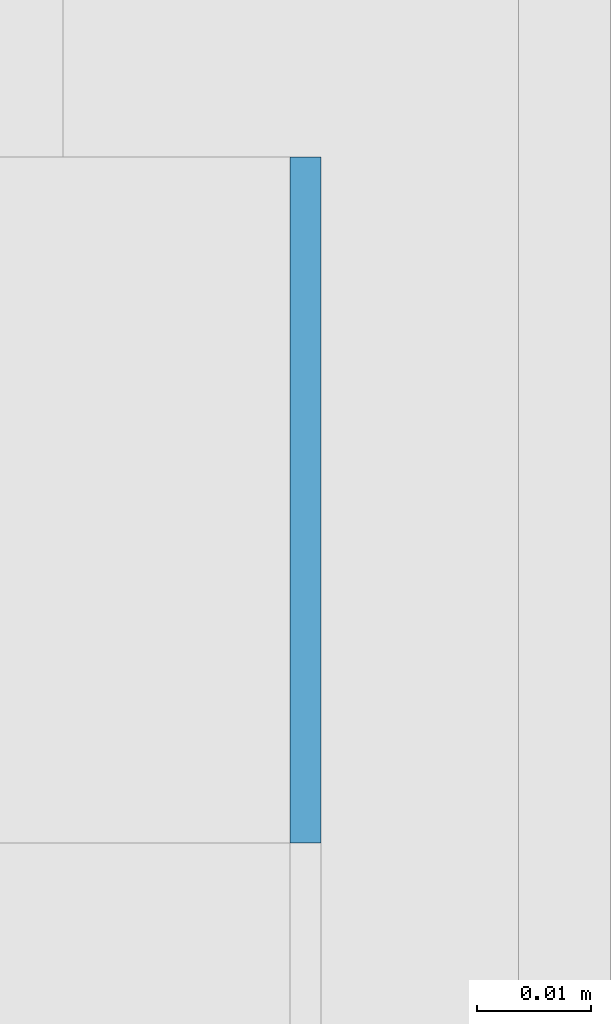
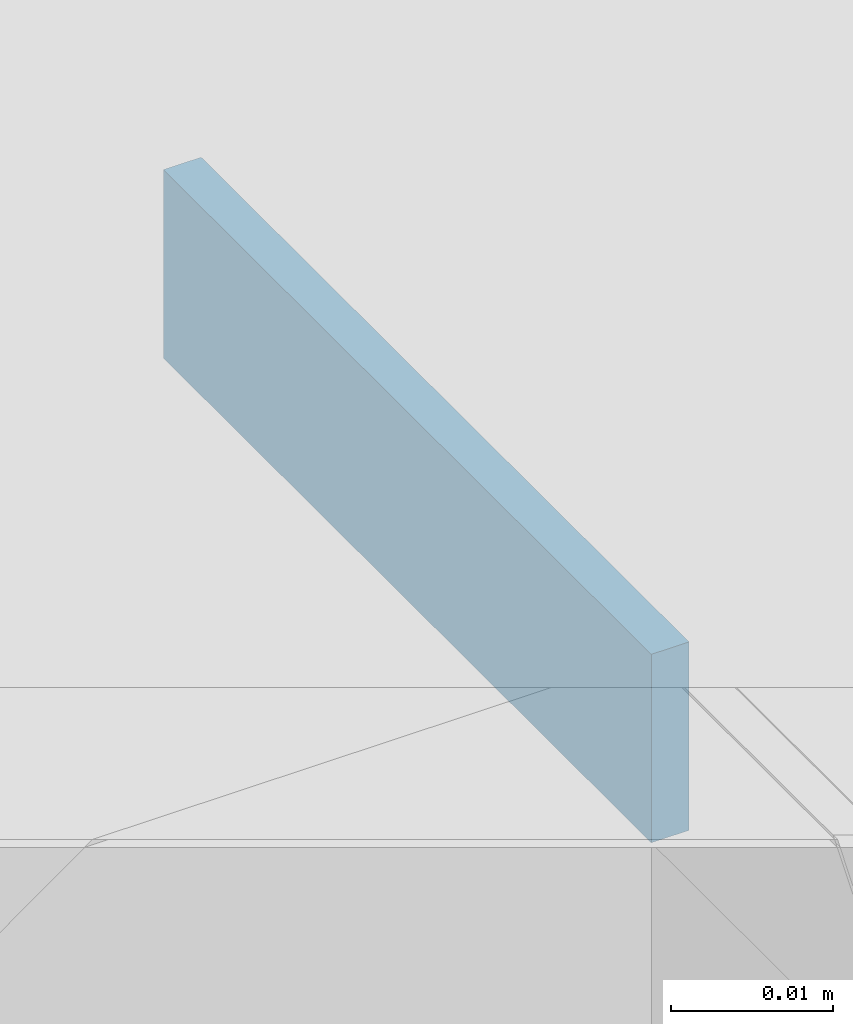
# One storey, part 365 of 646: 1 discrete accessory.
"""IFC4 building model written with IfcOpenShell, lengths in metres."""

import ifcopenshell
import ifcopenshell.guid

model = None  # the IFC model being written
_history = None  # IfcOwnerHistory: only IFC2X3 demands one
_inside = {}  # id of a spatial element -> (the spatial element, [elements in it])
_under = {}  # id of a project, library or spatial element -> (it, [spatial elements below it])
_declared = {}  # id of a project -> (the project, [libraries it declares])
_typed = {}  # id of a type object -> (the type object, [elements of that type])
_made_of = {}  # id of a material, layer set ... -> (it, [elements and type objects made of it])


def new_model(schema):
    """Start an empty IFC model of exactly this schema.

    Asked for "IFC4X3", IfcOpenShell would pick the latest addendum, in which some entities
    have other attributes; the version numbers below select the first issue.
    IFC2X3 requires an IfcOwnerHistory on every rooted entity: one is made here for all.
    """
    global model, _history
    if schema == "IFC4X3":
        model = ifcopenshell.file(schema_version=(4, 3, 0, 0))
    else:
        model = ifcopenshell.file(schema=schema)
    _inside.clear()
    _under.clear()
    _declared.clear()
    _typed.clear()
    _made_of.clear()
    _history = None
    if model.schema == "IFC2X3":
        org = make("IfcOrganization", Name="unknown")
        user = make(
            "IfcPersonAndOrganization",
            ThePerson=make("IfcPerson", FamilyName="unknown"),
            TheOrganization=org,
        )
        app = make(
            "IfcApplication",
            ApplicationDeveloper=org,
            Version="unknown",
            ApplicationFullName="unknown",
            ApplicationIdentifier="unknown",
        )
        _history = make(
            "IfcOwnerHistory",
            OwningUser=user,
            OwningApplication=app,
            ChangeAction="ADDED",
            CreationDate=0,
        )
    return model


def make(cls, **values):
    """One entity of the class cls with the attributes given. An attribute that is None is left unset."""
    return model.create_entity(
        cls, **{name: value for name, value in values.items() if value is not None}
    )


def rooted(cls, **values):
    """An entity with a GlobalId (a new one), such as an element, a storey or a relation."""
    return make(cls, GlobalId=ifcopenshell.guid.new(), OwnerHistory=_history, **values)


def si_unit(unit_type, name, prefix=None):
    """IfcSIUnit, for example si_unit("LENGTHUNIT", "METRE", prefix="MILLI")."""
    return make("IfcSIUnit", UnitType=unit_type, Prefix=prefix, Name=name)


def assignment(units):
    """IfcUnitAssignment: the units of a project."""
    return None if units is None else make("IfcUnitAssignment", Units=units)


def point(xyz):
    """IfcCartesianPoint."""
    return None if xyz is None else make("IfcCartesianPoint", Coordinates=xyz)


def direction(xyz):
    """IfcDirection."""
    return None if xyz is None else make("IfcDirection", DirectionRatios=xyz)


def frame(location, z_axis=None, x_axis=None):
    """IfcAxis2Placement3D, a coordinate frame: its origin and axes. An axis left out is left unset."""
    return make(
        "IfcAxis2Placement3D",
        Location=point(location),
        Axis=direction(z_axis),
        RefDirection=direction(x_axis),
    )


def frame_2d(location, x_axis=None):
    """IfcAxis2Placement2D, a coordinate frame in the plane: its origin and x axis."""
    return make(
        "IfcAxis2Placement2D", Location=point(location), RefDirection=direction(x_axis)
    )


def origin():
    """The frame at (0, 0, 0) with its axes left unset."""
    return frame((0.0, 0.0, 0.0))


def origin_2d():
    """The frame at (0, 0) in the plane with its x axis left unset."""
    return frame_2d((0.0, 0.0))


def place(relative_to, where):
    """IfcLocalPlacement: puts the frame where relative to a parent placement (None: the world)."""
    return make(
        "IfcLocalPlacement", PlacementRelTo=relative_to, RelativePlacement=where
    )


def context(
    kind, dimensions, precision=None, world=None, true_north=None, identifier=None
):
    """IfcGeometricRepresentationContext, for example the 3D "Model" context."""
    return make(
        "IfcGeometricRepresentationContext",
        ContextIdentifier=identifier,
        ContextType=kind,
        CoordinateSpaceDimension=dimensions,
        Precision=precision,
        WorldCoordinateSystem=world,
        TrueNorth=true_north,
    )


def subcontext(parent, identifier, kind, view, scale=None):
    """IfcGeometricRepresentationSubContext, for example "Body" below "Model"."""
    return make(
        "IfcGeometricRepresentationSubContext",
        ContextIdentifier=identifier,
        ContextType=kind,
        ParentContext=parent,
        TargetScale=scale,
        TargetView=view,
    )


def project(units=None, contexts=None):
    """IfcProject with its units and contexts."""
    return rooted(
        "IfcProject",
        Name="project",
        RepresentationContexts=contexts,
        UnitsInContext=assignment(units),
    )


def spatial(cls, under=None, at=None, **own):
    """A site, building, storey or space (cls), placed at a placement, below another one or the project."""
    s = rooted(cls, ObjectPlacement=at, **own)
    if under is not None:
        _under.setdefault(under.id(), (under, []))[1].append(s)
    return s


def profile(cls, at=None, kind="AREA", **sizes):
    """A parametric profile (cls). Its sizes go by their IFC names, for example OverallWidth=200.0."""
    return make(cls, ProfileType=kind, Position=at, **sizes)


def rectangle(**sizes):
    """IfcRectangleProfileDef."""
    return profile("IfcRectangleProfileDef", **sizes)


def extrude(swept, where, along, depth):
    """IfcExtrudedAreaSolid: the profile swept, set in the frame where, extruded along a direction by depth."""
    return make(
        "IfcExtrudedAreaSolid",
        SweptArea=swept,
        Position=where,
        ExtrudedDirection=direction(along),
        Depth=depth,
    )


def shape(context_of_items, identifier, shape_type, items):
    """IfcShapeRepresentation: the items that make up one representation, for example the "Body"."""
    return make(
        "IfcShapeRepresentation",
        ContextOfItems=context_of_items,
        RepresentationIdentifier=identifier,
        RepresentationType=shape_type,
        Items=items,
    )


def material(Name=None, Category=None):
    """IfcMaterial."""
    return make("IfcMaterial", Name=Name, Category=Category)


def made_of(thing, what):
    """Note that an element or type object is made of a material, layer set ...; save() writes the relation."""
    if what is not None:
        _made_of.setdefault(what.id(), (what, []))[1].append(thing)
    return thing


def type_object(cls, material=None, **own):
    """A type object (cls), such as IfcWallType, which elements share."""
    return made_of(rooted(cls, **own), material)


def element(
    cls,
    number,
    at=None,
    inside=None,
    cuts=None,
    type_object=None,
    material=None,
    context=None,
    identifier="Body",
    shape_type=None,
    held_by="IfcProductDefinitionShape",
    body=None,
    shapes=None,
    **own,
):
    """One element of the class cls, such as IfcWall. Its Tag is "e" and its number.

    at: its placement. inside: the storey or other place that contains it. cuts: it is an
    opening in that element (IfcRelVoidsElement). A single representation is given by context,
    identifier, shape_type and body (its items); several are given by shapes. held_by: the class
    of the entity that holds the representations. save() writes the other relations.
    """
    e = rooted(cls, Tag="e%d" % number, ObjectPlacement=at, **own)
    if body is not None:
        shapes = [shape(context, identifier, shape_type, body)]
    if shapes is not None:
        e.Representation = make(held_by, Representations=shapes)
    if inside is not None:
        _inside.setdefault(inside.id(), (inside, []))[1].append(e)
    if cuts is not None:
        rooted(
            "IfcRelVoidsElement", RelatingBuildingElement=cuts, RelatedOpeningElement=e
        )
    if type_object is not None:
        _typed.setdefault(type_object.id(), (type_object, []))[1].append(e)
    return made_of(e, material)


def aggregate(whole, parts):
    """IfcRelAggregates: a whole, such as a stair, and the parts it consists of."""
    return rooted("IfcRelAggregates", RelatingObject=whole, RelatedObjects=parts)


def save(model, path):
    """Write the relations noted so far, then the file.

    IfcRelAggregates (storeys below a building ...), IfcRelContainedInSpatialStructure (elements
    in a storey), IfcRelDefinesByType, IfcRelAssociatesMaterial and IfcRelDeclares: one each for
    every whole, place, type object, material and project.
    """
    for whole, parts in _under.values():
        aggregate(whole, parts)
    for where, things in _inside.values():
        rooted(
            "IfcRelContainedInSpatialStructure",
            RelatedElements=things,
            RelatingStructure=where,
        )
    for kind, things in _typed.values():
        rooted("IfcRelDefinesByType", RelatedObjects=things, RelatingType=kind)
    for what, things in _made_of.values():
        rooted("IfcRelAssociatesMaterial", RelatedObjects=things, RelatingMaterial=what)
    for by, libraries in _declared.values():
        rooted("IfcRelDeclares", RelatingContext=by, RelatedDefinitions=libraries)
    model.write(path)


model = new_model("IFC4")

# Units and contexts
model_context = context("Model", 3, precision=1e-05, world=origin(), true_north=direction((0.0, 1.0)))
body_context = subcontext(model_context, "Body", "Model", "MODEL_VIEW")
ifc_project = project(units=[si_unit("LENGTHUNIT", "METRE"), si_unit("AREAUNIT", "SQUARE_METRE"), si_unit("VOLUMEUNIT", "CUBIC_METRE"), si_unit("PLANEANGLEUNIT", "RADIAN"), si_unit("MASSUNIT", "GRAM", prefix="KILO")], contexts=[model_context])

# Site, building, storey
site_placement = place(None, origin())
site = spatial("IfcSite", under=ifc_project, at=site_placement, CompositionType="ELEMENT")
building_placement = place(site_placement, origin())
building = spatial("IfcBuilding", under=site, at=building_placement, Name="Silverbay Arena", CompositionType="ELEMENT")
storey_placement = place(building_placement, frame((0.0, 0.0, 33.5)))
storey = spatial("IfcBuildingStorey", under=building, at=storey_placement, Name="L05", CompositionType="ELEMENT", Elevation=33.5)

# Discrete accessory
ifc_material = material(Name="Steel S355", Category="steel")
discrete_accessory_type = type_object("IfcDiscreteAccessoryType", Name="Steel bracket plate", PredefinedType="BRACKET", material=ifc_material)
discrete_accessory_placement = place(storey_placement, frame((53.871337890625, 99.030029296875, 12.98583984375), z_axis=(0.0, 0.0, 1.0), x_axis=(1.0, 0.0, 0.0)))
element("IfcDiscreteAccessory", 1, at=discrete_accessory_placement, inside=storey, type_object=discrete_accessory_type, Name="Curtain wall packing plate", PredefinedType="BRACKET", context=body_context, shape_type="SweptSolid", body=[
    extrude(rectangle(XDim=0.002685546875, YDim=0.06005859375, at=origin_2d()), origin(), (0.0, 0.0, 1.0), 0.01416015625),
])

save(model, "model.ifc")
